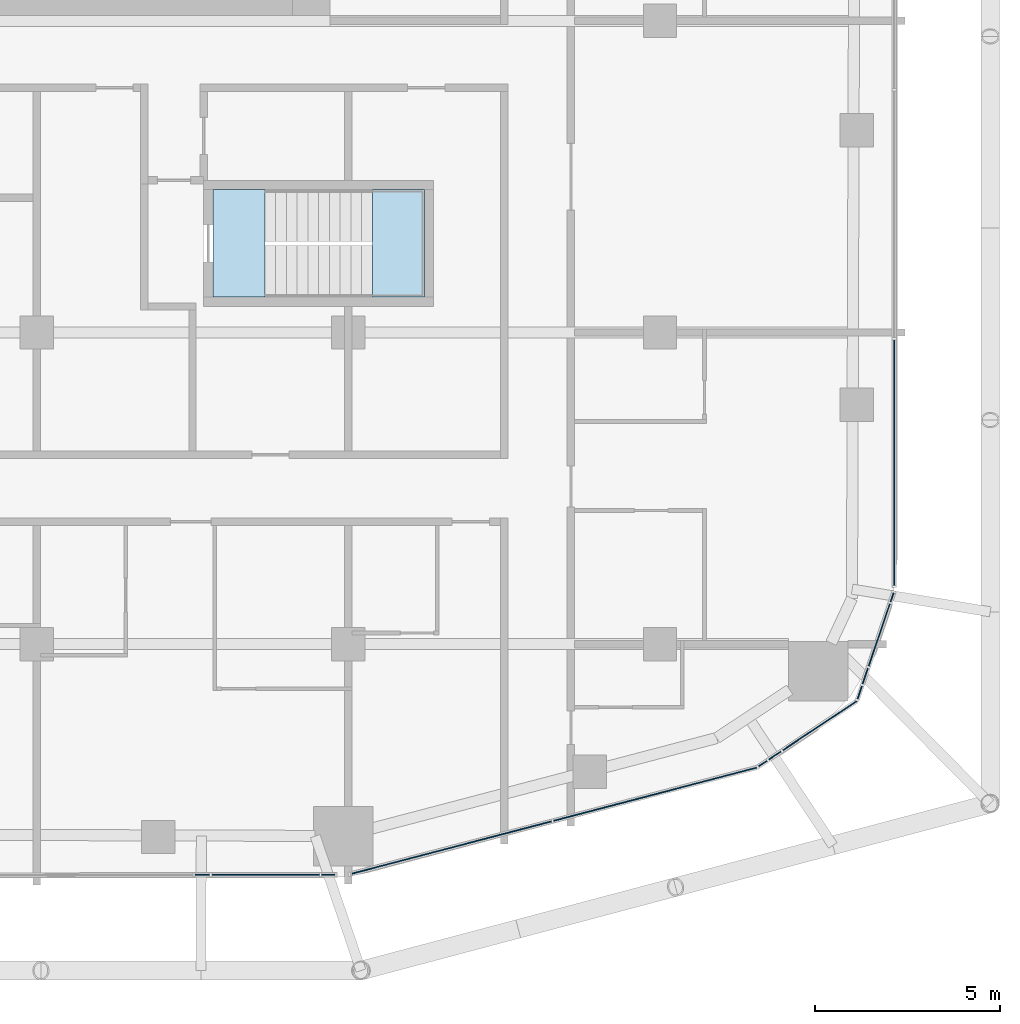
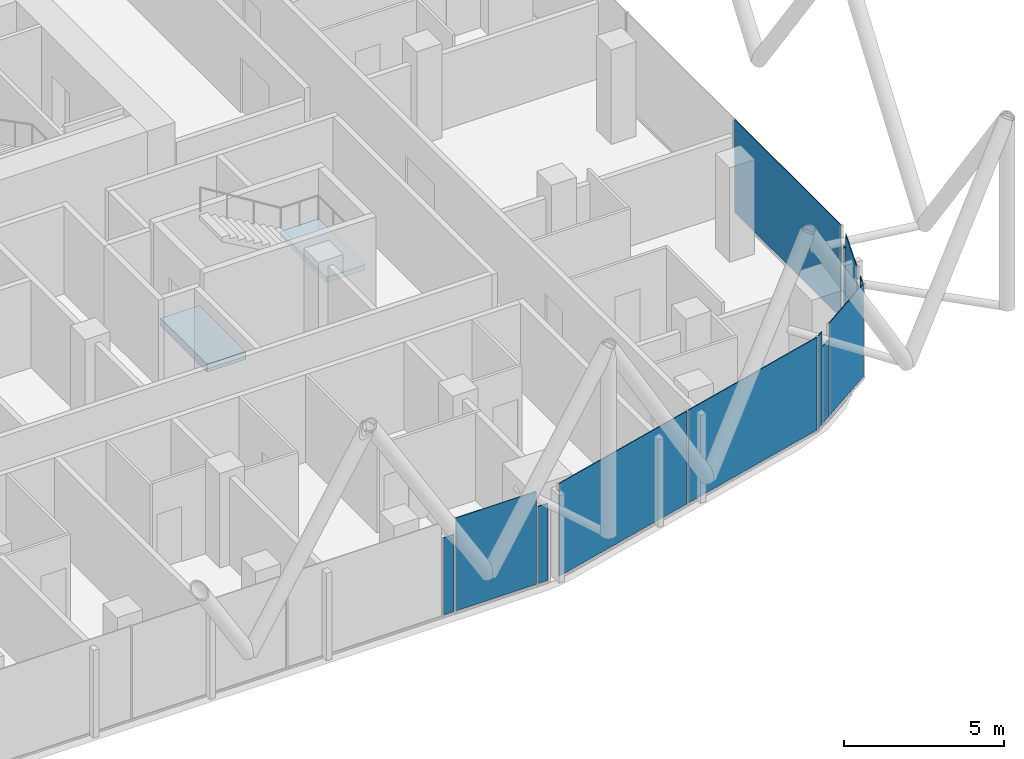
# One storey, part 22 of 36: 13 plates, 2 slabs, 13 elements without a shape of their own.
"""IFC4 building model written with IfcOpenShell, lengths in metres."""

from ifc_helpers import new_model, si_unit, direction, frame, origin, origin_2d, place, context, subcontext, project, spatial, polyline, rectangle, outline, extrude, material, layer, layer_set, type_object, element, aggregate, save


model = new_model("IFC4")

# Units and contexts
model_context = context("Model", 3, precision=1e-05, world=origin(), true_north=direction((0.0, 1.0)))
body_context = subcontext(model_context, "Body", "Model", "MODEL_VIEW")
ifc_project = project(units=[si_unit("LENGTHUNIT", "METRE"), si_unit("AREAUNIT", "SQUARE_METRE"), si_unit("VOLUMEUNIT", "CUBIC_METRE"), si_unit("PLANEANGLEUNIT", "RADIAN"), si_unit("MASSUNIT", "GRAM", prefix="KILO")], contexts=[model_context])

# Site, building, storey
site_placement = place(None, origin())
site = spatial("IfcSite", under=ifc_project, at=site_placement, CompositionType="ELEMENT")
building_placement = place(site_placement, origin())
building = spatial("IfcBuilding", under=site, at=building_placement, Name="Marenta Gate Hotel Tower", CompositionType="ELEMENT")
storey_placement = place(building_placement, frame((0.0, 0.0, 158.89990234375)))
storey = spatial("IfcBuildingStorey", under=building, at=storey_placement, Name="L37", CompositionType="ELEMENT", Elevation=158.89990234375)

# Curtain wall, plate
ifc_material_1 = material(Name="Tinted insulated glass in bronze anodised frame", Category="glass")
ifc_layer_1 = layer(ifc_material_1, 0.1201171875)
ifc_layer_set_1 = layer_set([ifc_layer_1], Name="Tinted insulated glass in bronze anodised frame")
curtain_wall_type = type_object("IfcCurtainWallType", Name="Tower unitised curtain wall CW1", PredefinedType="NOTDEFINED", material=ifc_layer_set_1)
curtain_wall_1_placement = place(storey_placement, origin())
curtain_wall_1 = element("IfcCurtainWall", 1, at=curtain_wall_1_placement, inside=storey, type_object=curtain_wall_type, Name="CW1 run G22", PredefinedType="NOTDEFINED")
ifc_material_2 = material(Name="Tinted insulated glass", Category="glass")
ifc_layer_2 = layer(ifc_material_2, 0.028076171875)
ifc_layer_set_2 = layer_set([ifc_layer_2], Name="Tinted insulated glass")
plate_type = type_object("IfcPlateType", Name="Glass panel CW1 28 mm tinted insulated unit", PredefinedType="CURTAIN_PANEL", material=ifc_layer_set_2)
plate_1_placement = place(storey_placement, frame((8.664306640625, -23.018798828125, 0.060302734375), z_axis=(0.0, 0.0, 1.0), x_axis=(0.999999122847, 0.001324502144, 0.0)))
plate_1 = element("IfcPlate", 2, at=plate_1_placement, type_object=plate_type, Name="CW1 panel 1.1", PredefinedType="CURTAIN_PANEL", context=body_context, shape_type="SweptSolid", body=[
    extrude(rectangle(XDim=0.39306640625, YDim=0.028076171875, at=origin_2d()), origin(), (0.0, 0.0, 1.0), 2.9404296875),
])
aggregate(curtain_wall_1, [plate_1])

curtain_wall_2_placement = place(storey_placement, origin())
curtain_wall_2 = element("IfcCurtainWall", 3, at=curtain_wall_2_placement, inside=storey, type_object=curtain_wall_type, Name="CW1 run G23", PredefinedType="NOTDEFINED")
plate_2_placement = place(storey_placement, frame((10.37109375, -23.016357421875, 0.06005859375), z_axis=(0.0, 0.0, 1.0), x_axis=(0.999999041285, 0.001384712772, 0.0)))
plate_2 = element("IfcPlate", 4, at=plate_2_placement, type_object=plate_type, Name="CW1 panel 1.1", PredefinedType="CURTAIN_PANEL", context=body_context, shape_type="SweptSolid", body=[
    extrude(rectangle(XDim=2.90087890625, YDim=0.028076171875, at=origin_2d()), origin(), (0.0, 0.0, 1.0), 3.5400390625),
])
aggregate(curtain_wall_2, [plate_2])

curtain_wall_3_placement = place(storey_placement, origin())
curtain_wall_3 = element("IfcCurtainWall", 5, at=curtain_wall_3_placement, inside=storey, type_object=curtain_wall_type, Name="CW1 run G24", PredefinedType="NOTDEFINED")
plate_3_placement = place(storey_placement, frame((12.060791015625, -23.013916015625, 0.060302734375), z_axis=(0.0, 0.0, 1.0), x_axis=(0.999999212858, 0.001254704164, 0.0)))
plate_3 = element("IfcPlate", 6, at=plate_3_placement, type_object=plate_type, Name="CW1 panel 1.1", PredefinedType="CURTAIN_PANEL", context=body_context, shape_type="SweptSolid", body=[
    extrude(rectangle(XDim=0.358154296875, YDim=0.028076171875, at=origin_2d()), origin(), (0.0, 0.0, 1.0), 2.9404296875),
])
aggregate(curtain_wall_3, [plate_3])

# Curtain wall, plates
curtain_wall_4_placement = place(storey_placement, origin())
curtain_wall_4 = element("IfcCurtainWall", 7, at=curtain_wall_4_placement, inside=storey, type_object=curtain_wall_type, Name="CW1 run G25", PredefinedType="NOTDEFINED")
plate_4_placement = place(storey_placement, frame((15.36474609375, -22.28857421875, 0.06005859375), z_axis=(0.0, 0.0, 1.0), x_axis=(0.967368326473, 0.253374270473, 0.0)))
plate_4 = element("IfcPlate", 8, at=plate_4_placement, type_object=plate_type, Name="CW1 panel 1.1", PredefinedType="CURTAIN_PANEL", context=body_context, shape_type="SweptSolid", body=[
    extrude(rectangle(XDim=5.6005859375, YDim=0.028076171875, at=origin_2d()), origin(), (0.0, 0.0, 1.0), 3.5400390625),
])
plate_5_placement = place(storey_placement, frame((20.86962890625, -20.8466796875, 0.06005859375), z_axis=(0.0, 0.0, 1.0), x_axis=(0.967368326473, 0.253374270473, 0.0)))
plate_5 = element("IfcPlate", 9, at=plate_5_placement, type_object=plate_type, Name="CW1 panel 2.1", PredefinedType="CURTAIN_PANEL", context=body_context, shape_type="SweptSolid", body=[
    extrude(rectangle(XDim=5.66064453125, YDim=0.028076171875, at=origin_2d()), origin(), (0.0, 0.0, 1.0), 3.5400390625),
])
aggregate(curtain_wall_4, [plate_4, plate_5])

# Curtain wall, plate
curtain_wall_5_placement = place(storey_placement, origin())
curtain_wall_5 = element("IfcCurtainWall", 10, at=curtain_wall_5_placement, inside=storey, type_object=curtain_wall_type, Name="CW1 run G26", PredefinedType="NOTDEFINED")
plate_6_placement = place(storey_placement, frame((23.7705078125, -20.021240234375, 0.06005859375), z_axis=(0.0, 0.0, 1.0), x_axis=(0.832606802594, 0.553864525199, 0.0)))
plate_6 = element("IfcPlate", 11, at=plate_6_placement, type_object=plate_type, Name="CW1 panel 1.1", PredefinedType="CURTAIN_PANEL", context=body_context, shape_type="SweptSolid", body=[
    extrude(rectangle(XDim=0.271484375, YDim=0.028076171875, at=origin_2d()), origin(), (0.0, 0.0, 1.0), 3.5400390625),
])
aggregate(curtain_wall_5, [plate_6])

curtain_wall_6_placement = place(storey_placement, origin())
curtain_wall_6 = element("IfcCurtainWall", 12, at=curtain_wall_6_placement, inside=storey, type_object=curtain_wall_type, Name="CW1 run G27", PredefinedType="NOTDEFINED")
plate_7_placement = place(storey_placement, frame((24.09716796875, -19.803955078125, 0.060302734375), z_axis=(0.0, 0.0, 1.0), x_axis=(0.832457612814, 0.554088731944, 0.0)))
plate_7 = element("IfcPlate", 13, at=plate_7_placement, type_object=plate_type, Name="CW1 panel 1.1", PredefinedType="CURTAIN_PANEL", context=body_context, shape_type="SweptSolid", body=[
    extrude(rectangle(XDim=0.39306640625, YDim=0.028076171875, at=origin_2d()), origin(), (0.0, 0.0, 1.0), 2.9404296875),
])
aggregate(curtain_wall_6, [plate_7])

curtain_wall_7_placement = place(storey_placement, origin())
curtain_wall_7 = element("IfcCurtainWall", 14, at=curtain_wall_7_placement, inside=storey, type_object=curtain_wall_type, Name="CW1 run G28", PredefinedType="NOTDEFINED")
plate_8_placement = place(storey_placement, frame((25.307861328125, -18.998291015625, 0.06005859375), z_axis=(0.0, 0.0, 1.0), x_axis=(0.832501127249, 0.554023350707, 0.0)))
plate_8 = element("IfcPlate", 15, at=plate_8_placement, type_object=plate_type, Name="CW1 panel 1.1", PredefinedType="CURTAIN_PANEL", context=body_context, shape_type="SweptSolid", body=[
    extrude(rectangle(XDim=2.3955078125, YDim=0.028076171875, at=origin_2d()), origin(), (0.0, 0.0, 1.0), 3.5400390625),
])
aggregate(curtain_wall_7, [plate_8])

curtain_wall_8_placement = place(storey_placement, origin())
curtain_wall_8 = element("IfcCurtainWall", 16, at=curtain_wall_8_placement, inside=storey, type_object=curtain_wall_type, Name="CW1 run G29", PredefinedType="NOTDEFINED")
plate_9_placement = place(storey_placement, frame((26.383544921875, -18.103515625, 0.06005859375), z_axis=(0.0, 0.0, 1.0), x_axis=(0.322036701561, 0.946727185016, 0.0)))
plate_9 = element("IfcPlate", 17, at=plate_9_placement, type_object=plate_type, Name="CW1 panel 1.1", PredefinedType="CURTAIN_PANEL", context=body_context, shape_type="SweptSolid", body=[
    extrude(rectangle(XDim=0.3681640625, YDim=0.028076171875, at=origin_2d()), origin(), (0.0, 0.0, 1.0), 3.5400390625),
])
aggregate(curtain_wall_8, [plate_9])

curtain_wall_9_placement = place(storey_placement, origin())
curtain_wall_9 = element("IfcCurtainWall", 18, at=curtain_wall_9_placement, inside=storey, type_object=curtain_wall_type, Name="CW1 run G30", PredefinedType="NOTDEFINED")
plate_10_placement = place(storey_placement, frame((26.533935546875, -17.6611328125, 0.060302734375), z_axis=(0.0, 0.0, 1.0), x_axis=(0.322030237029, 0.946729383953, 0.0)))
plate_10 = element("IfcPlate", 19, at=plate_10_placement, type_object=plate_type, Name="CW1 panel 1.1", PredefinedType="CURTAIN_PANEL", context=body_context, shape_type="SweptSolid", body=[
    extrude(rectangle(XDim=0.4462890625, YDim=0.028076171875, at=origin_2d()), origin(), (0.0, 0.0, 1.0), 2.9404296875),
])
aggregate(curtain_wall_9, [plate_10])

curtain_wall_10_placement = place(storey_placement, origin())
curtain_wall_10 = element("IfcCurtainWall", 20, at=curtain_wall_10_placement, inside=storey, type_object=curtain_wall_type, Name="CW1 run G31", PredefinedType="NOTDEFINED")
plate_11_placement = place(storey_placement, frame((26.91064453125, -16.553955078125, 0.06005859375), z_axis=(0.0, 0.0, 1.0), x_axis=(0.322031828824, 0.946728842502, 0.0)))
plate_11 = element("IfcPlate", 21, at=plate_11_placement, type_object=plate_type, Name="CW1 panel 1.1", PredefinedType="CURTAIN_PANEL", context=body_context, shape_type="SweptSolid", body=[
    extrude(rectangle(XDim=1.77294921875, YDim=0.028076171875, at=origin_2d()), origin(), (0.0, 0.0, 1.0), 3.5400390625),
])
aggregate(curtain_wall_10, [plate_11])

curtain_wall_11_placement = place(storey_placement, origin())
curtain_wall_11 = element("IfcCurtainWall", 22, at=curtain_wall_11_placement, inside=storey, type_object=curtain_wall_type, Name="CW1 run G32", PredefinedType="NOTDEFINED")
plate_12_placement = place(storey_placement, frame((27.255126953125, -15.541259765625, 0.060302734375), z_axis=(0.0, 0.0, 1.0), x_axis=(0.322039841818, 0.946726116827, 0.0)))
plate_12 = element("IfcPlate", 23, at=plate_12_placement, type_object=plate_type, Name="CW1 panel 1.1", PredefinedType="CURTAIN_PANEL", context=body_context, shape_type="SweptSolid", body=[
    extrude(rectangle(XDim=0.24609375, YDim=0.028076171875, at=origin_2d()), origin(), (0.0, 0.0, 1.0), 2.9404296875),
])
aggregate(curtain_wall_11, [plate_12])

curtain_wall_12_placement = place(storey_placement, origin())
curtain_wall_12 = element("IfcCurtainWall", 24, at=curtain_wall_12_placement, inside=storey, type_object=curtain_wall_type, Name="CW1 run G33", PredefinedType="NOTDEFINED")
plate_13_placement = place(storey_placement, frame((27.31396484375, -11.90625, 0.06005859375), z_axis=(0.0, 0.0, 1.0), x_axis=(0.0, 1.0, 0.0)))
plate_13 = element("IfcPlate", 25, at=plate_13_placement, type_object=plate_type, Name="CW1 panel 1.1", PredefinedType="CURTAIN_PANEL", context=body_context, shape_type="SweptSolid", body=[
    extrude(rectangle(XDim=6.617431640625, YDim=0.028076171875, at=origin_2d()), origin(), (0.0, 0.0, 1.0), 3.5400390625),
])
aggregate(curtain_wall_12, [plate_13])

# Stair, slab
ifc_material_3 = material(Name="Concrete C40", Category="concrete")
stair_type = type_object("IfcStairType", Name="Remote exit stair 1400 wide", PredefinedType="HALF_TURN_STAIR", material=ifc_material_3)
stair_placement = place(storey_placement, origin())
stair = element("IfcStair", 26, at=stair_placement, inside=storey, type_object=stair_type, Name="Exit stair RS-Z2-2", PredefinedType="HALF_TURN_STAIR")
ifc_material_4 = material(Name="Concrete C40", Category="concrete")
ifc_layer_3 = layer(ifc_material_4, 0.199951171875)
ifc_layer_set_3 = layer_set([ifc_layer_3], Name="Concrete C40")
slab_type_1 = type_object("IfcSlabType", Name="Remote stair landing 200", PredefinedType="LANDING", material=ifc_layer_set_3)
slab_1_placement = place(storey_placement, frame((0.0, 0.0, 1.60009765625)))
slab_1 = element("IfcSlab", 27, at=slab_1_placement, type_object=slab_type_1, Name="RL-200 RS-Z2-2 landing 1", PredefinedType="LANDING", context=body_context, shape_type="SweptSolid", body=[
    extrude(outline(polyline([(13.25, -7.449951171875), (14.64990234375, -7.449951171875), (14.64990234375, -4.550048828125), (13.25, -4.550048828125), (13.25, -7.449951171875)])), origin(), (0.0, 0.0, 1.0), 0.199951171875),
])
aggregate(stair, [slab_1])

# Slab
ifc_material_5 = material(Name="Concrete C40", Category="concrete")
ifc_layer_4 = layer(ifc_material_5, 0.300048828125)
ifc_layer_set_4 = layer_set([ifc_layer_4], Name="Concrete C40")
slab_type_2 = type_object("IfcSlabType", Name="Stair floor landing slab 300", PredefinedType="FLOOR", material=ifc_layer_set_4)
slab_2_placement = place(storey_placement, frame((0.0, 0.0, -0.2998046875)))
element("IfcSlab", 28, at=slab_2_placement, inside=storey, type_object=slab_type_2, Name="L37-RS-Z2-2-CL", PredefinedType="FLOOR", context=body_context, shape_type="SweptSolid", body=[
    extrude(outline(polyline([(10.35009765625, -7.449951171875), (10.35009765625, -4.550048828125), (8.949951171875, -4.550048828125), (8.949951171875, -7.449951171875), (10.35009765625, -7.449951171875)])), origin(), (0.0, 0.0, 1.0), 0.2998046875),
])

save(model, "model.ifc")
